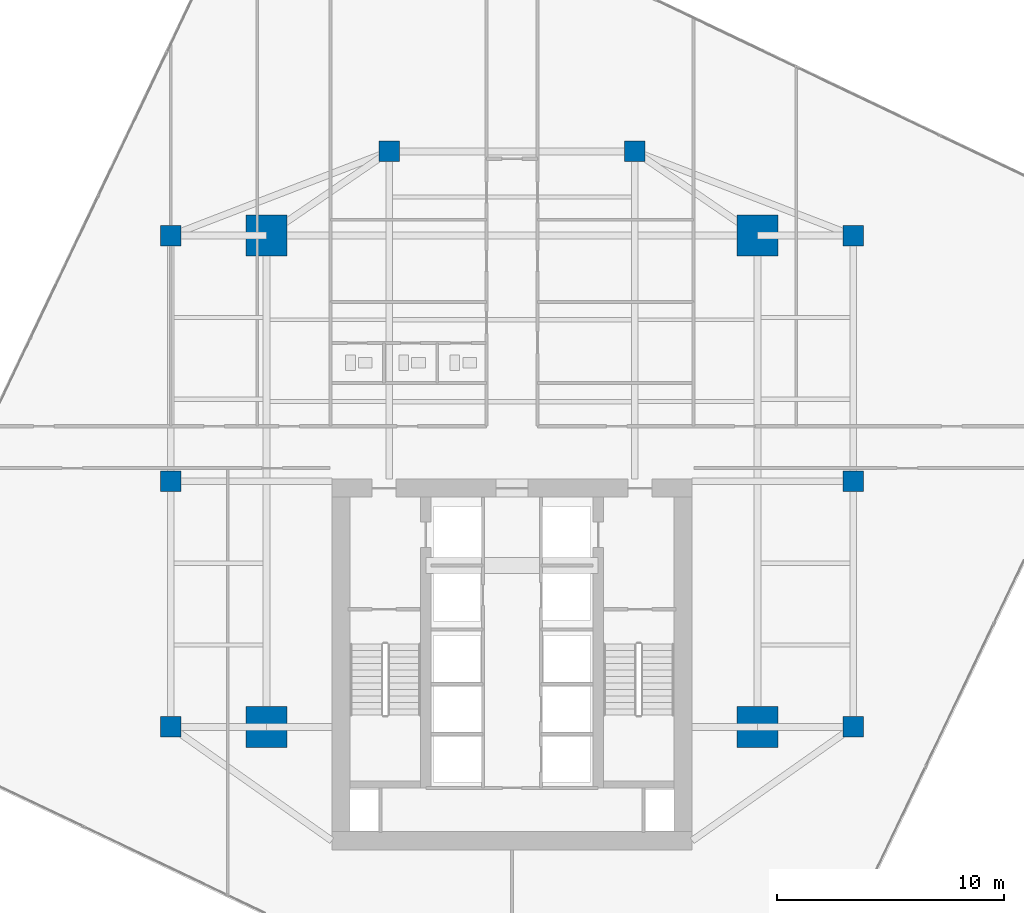
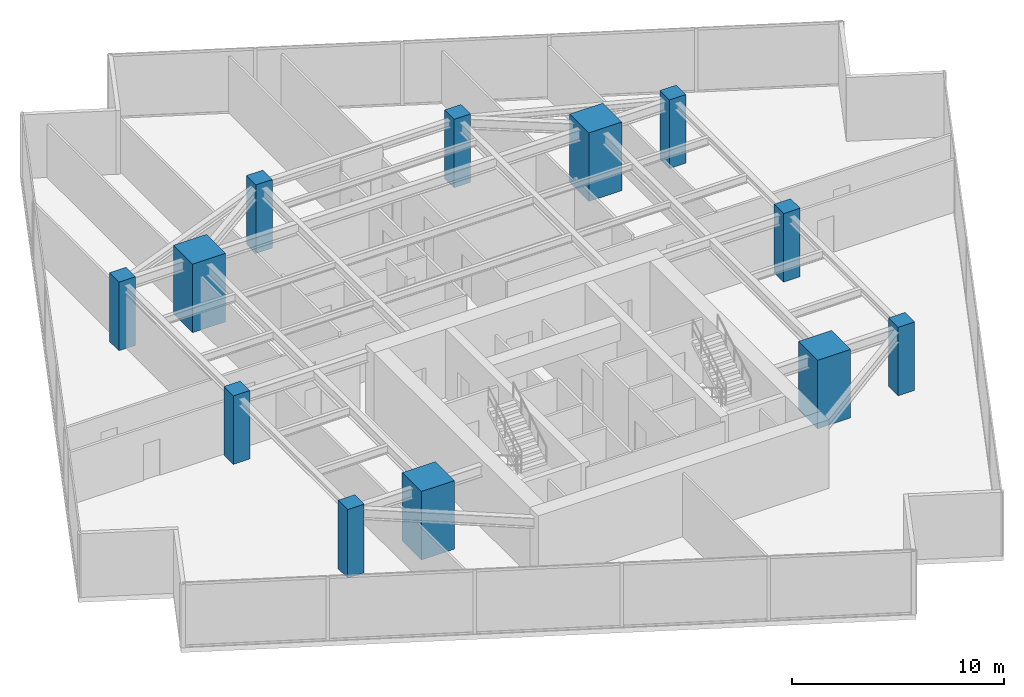
# One storey, part 1 of 25: 12 columns.
"""IFC4 building model written with IfcOpenShell, lengths in metres."""

import ifcopenshell
import ifcopenshell.guid

model = None  # the IFC model being written
_history = None  # IfcOwnerHistory: only IFC2X3 demands one
_inside = {}  # id of a spatial element -> (the spatial element, [elements in it])
_under = {}  # id of a project, library or spatial element -> (it, [spatial elements below it])
_declared = {}  # id of a project -> (the project, [libraries it declares])
_typed = {}  # id of a type object -> (the type object, [elements of that type])
_made_of = {}  # id of a material, layer set ... -> (it, [elements and type objects made of it])


def new_model(schema):
    """Start an empty IFC model of exactly this schema.

    Asked for "IFC4X3", IfcOpenShell would pick the latest addendum, in which some entities
    have other attributes; the version numbers below select the first issue.
    IFC2X3 requires an IfcOwnerHistory on every rooted entity: one is made here for all.
    """
    global model, _history
    if schema == "IFC4X3":
        model = ifcopenshell.file(schema_version=(4, 3, 0, 0))
    else:
        model = ifcopenshell.file(schema=schema)
    _inside.clear()
    _under.clear()
    _declared.clear()
    _typed.clear()
    _made_of.clear()
    _history = None
    if model.schema == "IFC2X3":
        org = make("IfcOrganization", Name="unknown")
        user = make(
            "IfcPersonAndOrganization",
            ThePerson=make("IfcPerson", FamilyName="unknown"),
            TheOrganization=org,
        )
        app = make(
            "IfcApplication",
            ApplicationDeveloper=org,
            Version="unknown",
            ApplicationFullName="unknown",
            ApplicationIdentifier="unknown",
        )
        _history = make(
            "IfcOwnerHistory",
            OwningUser=user,
            OwningApplication=app,
            ChangeAction="ADDED",
            CreationDate=0,
        )
    return model


def make(cls, **values):
    """One entity of the class cls with the attributes given. An attribute that is None is left unset."""
    return model.create_entity(
        cls, **{name: value for name, value in values.items() if value is not None}
    )


def rooted(cls, **values):
    """An entity with a GlobalId (a new one), such as an element, a storey or a relation."""
    return make(cls, GlobalId=ifcopenshell.guid.new(), OwnerHistory=_history, **values)


def si_unit(unit_type, name, prefix=None):
    """IfcSIUnit, for example si_unit("LENGTHUNIT", "METRE", prefix="MILLI")."""
    return make("IfcSIUnit", UnitType=unit_type, Prefix=prefix, Name=name)


def assignment(units):
    """IfcUnitAssignment: the units of a project."""
    return None if units is None else make("IfcUnitAssignment", Units=units)


def point(xyz):
    """IfcCartesianPoint."""
    return None if xyz is None else make("IfcCartesianPoint", Coordinates=xyz)


def direction(xyz):
    """IfcDirection."""
    return None if xyz is None else make("IfcDirection", DirectionRatios=xyz)


def frame(location, z_axis=None, x_axis=None):
    """IfcAxis2Placement3D, a coordinate frame: its origin and axes. An axis left out is left unset."""
    return make(
        "IfcAxis2Placement3D",
        Location=point(location),
        Axis=direction(z_axis),
        RefDirection=direction(x_axis),
    )


def frame_2d(location, x_axis=None):
    """IfcAxis2Placement2D, a coordinate frame in the plane: its origin and x axis."""
    return make(
        "IfcAxis2Placement2D", Location=point(location), RefDirection=direction(x_axis)
    )


def origin():
    """The frame at (0, 0, 0) with its axes left unset."""
    return frame((0.0, 0.0, 0.0))


def origin_2d():
    """The frame at (0, 0) in the plane with its x axis left unset."""
    return frame_2d((0.0, 0.0))


def place(relative_to, where):
    """IfcLocalPlacement: puts the frame where relative to a parent placement (None: the world)."""
    return make(
        "IfcLocalPlacement", PlacementRelTo=relative_to, RelativePlacement=where
    )


def context(
    kind, dimensions, precision=None, world=None, true_north=None, identifier=None
):
    """IfcGeometricRepresentationContext, for example the 3D "Model" context."""
    return make(
        "IfcGeometricRepresentationContext",
        ContextIdentifier=identifier,
        ContextType=kind,
        CoordinateSpaceDimension=dimensions,
        Precision=precision,
        WorldCoordinateSystem=world,
        TrueNorth=true_north,
    )


def subcontext(parent, identifier, kind, view, scale=None):
    """IfcGeometricRepresentationSubContext, for example "Body" below "Model"."""
    return make(
        "IfcGeometricRepresentationSubContext",
        ContextIdentifier=identifier,
        ContextType=kind,
        ParentContext=parent,
        TargetScale=scale,
        TargetView=view,
    )


def project(units=None, contexts=None):
    """IfcProject with its units and contexts."""
    return rooted(
        "IfcProject",
        Name="project",
        RepresentationContexts=contexts,
        UnitsInContext=assignment(units),
    )


def spatial(cls, under=None, at=None, **own):
    """A site, building, storey or space (cls), placed at a placement, below another one or the project."""
    s = rooted(cls, ObjectPlacement=at, **own)
    if under is not None:
        _under.setdefault(under.id(), (under, []))[1].append(s)
    return s


def profile(cls, at=None, kind="AREA", **sizes):
    """A parametric profile (cls). Its sizes go by their IFC names, for example OverallWidth=200.0."""
    return make(cls, ProfileType=kind, Position=at, **sizes)


def rectangle(**sizes):
    """IfcRectangleProfileDef."""
    return profile("IfcRectangleProfileDef", **sizes)


def extrude(swept, where, along, depth):
    """IfcExtrudedAreaSolid: the profile swept, set in the frame where, extruded along a direction by depth."""
    return make(
        "IfcExtrudedAreaSolid",
        SweptArea=swept,
        Position=where,
        ExtrudedDirection=direction(along),
        Depth=depth,
    )


def shape(context_of_items, identifier, shape_type, items):
    """IfcShapeRepresentation: the items that make up one representation, for example the "Body"."""
    return make(
        "IfcShapeRepresentation",
        ContextOfItems=context_of_items,
        RepresentationIdentifier=identifier,
        RepresentationType=shape_type,
        Items=items,
    )


def source(mapping_origin, context_of_items, identifier, shape_type, items):
    """IfcRepresentationMap: a shape defined once, which mapped items show again and again."""
    return make(
        "IfcRepresentationMap",
        MappingOrigin=mapping_origin,
        MappedRepresentation=shape(context_of_items, identifier, shape_type, items),
    )


def transform(
    local_origin,
    x_axis=None,
    y_axis=None,
    z_axis=None,
    scale=None,
    scale2=None,
    scale3=None,
    uniform=True,
):
    """IfcCartesianTransformationOperator3D, or its non-uniform kind. x_axis, y_axis, z_axis: its Axis1, 2, 3."""
    if uniform:
        return make(
            "IfcCartesianTransformationOperator3D",
            Axis1=direction(x_axis),
            Axis2=direction(y_axis),
            LocalOrigin=point(local_origin),
            Scale=scale,
            Axis3=direction(z_axis),
        )
    return make(
        "IfcCartesianTransformationOperator3DnonUniform",
        Axis1=direction(x_axis),
        Axis2=direction(y_axis),
        LocalOrigin=point(local_origin),
        Scale=scale,
        Axis3=direction(z_axis),
        Scale2=scale2,
        Scale3=scale3,
    )


def mapped(mapping_source, mapping_target):
    """IfcMappedItem: shows the shape of a source again, moved by a transform."""
    return make(
        "IfcMappedItem", MappingSource=mapping_source, MappingTarget=mapping_target
    )


def material(Name=None, Category=None):
    """IfcMaterial."""
    return make("IfcMaterial", Name=Name, Category=Category)


def material_profile(
    of_material, cross_section, Name=None, Category=None, Priority=None
):
    """IfcMaterialProfile: a cross section and its material."""
    return make(
        "IfcMaterialProfile",
        Name=Name,
        Material=of_material,
        Profile=cross_section,
        Priority=Priority,
        Category=Category,
    )


def profile_set(profiles, Name=None, composite=None):
    """IfcMaterialProfileSet."""
    return make(
        "IfcMaterialProfileSet",
        Name=Name,
        MaterialProfiles=profiles,
        CompositeProfile=composite,
    )


def made_of(thing, what):
    """Note that an element or type object is made of a material, layer set ...; save() writes the relation."""
    if what is not None:
        _made_of.setdefault(what.id(), (what, []))[1].append(thing)
    return thing


def type_object(cls, material=None, **own):
    """A type object (cls), such as IfcWallType, which elements share."""
    return made_of(rooted(cls, **own), material)


def type_shapes(of_type, sources):
    """Give a type object the sources (RepresentationMaps) that its elements show as mapped items."""
    of_type.RepresentationMaps = sources


def element(
    cls,
    number,
    at=None,
    inside=None,
    cuts=None,
    type_object=None,
    material=None,
    context=None,
    identifier="Body",
    shape_type=None,
    held_by="IfcProductDefinitionShape",
    body=None,
    shapes=None,
    **own,
):
    """One element of the class cls, such as IfcWall. Its Tag is "e" and its number.

    at: its placement. inside: the storey or other place that contains it. cuts: it is an
    opening in that element (IfcRelVoidsElement). A single representation is given by context,
    identifier, shape_type and body (its items); several are given by shapes. held_by: the class
    of the entity that holds the representations. save() writes the other relations.
    """
    e = rooted(cls, Tag="e%d" % number, ObjectPlacement=at, **own)
    if body is not None:
        shapes = [shape(context, identifier, shape_type, body)]
    if shapes is not None:
        e.Representation = make(held_by, Representations=shapes)
    if inside is not None:
        _inside.setdefault(inside.id(), (inside, []))[1].append(e)
    if cuts is not None:
        rooted(
            "IfcRelVoidsElement", RelatingBuildingElement=cuts, RelatedOpeningElement=e
        )
    if type_object is not None:
        _typed.setdefault(type_object.id(), (type_object, []))[1].append(e)
    return made_of(e, material)


def aggregate(whole, parts):
    """IfcRelAggregates: a whole, such as a stair, and the parts it consists of."""
    return rooted("IfcRelAggregates", RelatingObject=whole, RelatedObjects=parts)


def save(model, path):
    """Write the relations noted so far, then the file.

    IfcRelAggregates (storeys below a building ...), IfcRelContainedInSpatialStructure (elements
    in a storey), IfcRelDefinesByType, IfcRelAssociatesMaterial and IfcRelDeclares: one each for
    every whole, place, type object, material and project.
    """
    for whole, parts in _under.values():
        aggregate(whole, parts)
    for where, things in _inside.values():
        rooted(
            "IfcRelContainedInSpatialStructure",
            RelatedElements=things,
            RelatingStructure=where,
        )
    for kind, things in _typed.values():
        rooted("IfcRelDefinesByType", RelatedObjects=things, RelatingType=kind)
    for what, things in _made_of.values():
        rooted("IfcRelAssociatesMaterial", RelatedObjects=things, RelatingMaterial=what)
    for by, libraries in _declared.values():
        rooted("IfcRelDeclares", RelatingContext=by, RelatedDefinitions=libraries)
    model.write(path)


model = new_model("IFC4")

# Units and contexts
model_context = context("Model", 3, precision=1e-05, world=origin(), true_north=direction((0.0, 1.0)))
body_context = subcontext(model_context, "Body", "Model", "MODEL_VIEW")
ifc_project = project(units=[si_unit("LENGTHUNIT", "METRE"), si_unit("AREAUNIT", "SQUARE_METRE"), si_unit("VOLUMEUNIT", "CUBIC_METRE"), si_unit("PLANEANGLEUNIT", "RADIAN"), si_unit("MASSUNIT", "GRAM", prefix="KILO")], contexts=[model_context])

# Site, building, storey
site_placement = place(None, origin())
site = spatial("IfcSite", under=ifc_project, at=site_placement, CompositionType="ELEMENT")
building_placement = place(site_placement, origin())
building = spatial("IfcBuilding", under=site, at=building_placement, Name="Krantzveldt Concourse Tower", CompositionType="ELEMENT")
storey_placement = place(building_placement, frame((0.0, 0.0, 146.199951171875)))
storey = spatial("IfcBuildingStorey", under=building, at=storey_placement, Name="L35", CompositionType="ELEMENT", Elevation=146.199951171875)

# Columns
ifc_material = material(Name="Concrete C50/60", Category="concrete")
ifc_material_profile_1 = material_profile(ifc_material, rectangle(XDim=1.800048828125, YDim=1.800048828125, at=origin_2d()), Name="Concrete C50/60", Category="concrete")
ifc_profile_set_1 = profile_set([ifc_material_profile_1], Name="Concrete C50/60 - RC 1800x1800")
column_type_1 = type_object("IfcColumnType", Name="COL-MC-1800", PredefinedType="USERDEFINED", material=ifc_profile_set_1)
shared_shape_1 = source(origin(), body_context, "Body", "SweptSolid", [
    extrude(rectangle(XDim=1.800048828125, YDim=1.800048828125, at=origin_2d()), origin(), (0.0, 0.0, 1.0), 3.949951171875),
])
type_shapes(column_type_1, [shared_shape_1])
for number, where, z_axis, x_axis, name in (
    (1, (25.199951171875, 15.89990234375, 0.0), (0.0, 0.0, 1.0), (1.0, 0.0, 0.0), "MC-SW-L35"),
    (2, (46.800048828125, 15.89990234375, 0.0), (0.0, 0.0, 1.0), (1.0, 0.0, 0.0), "MC-SE-L35"),
    (3, (46.800048828125, 37.5, 0.0), (0.0, 0.0, 1.0), (1.0, 0.0, 0.0), "MC-NE-L35"),
    (4, (25.199951171875, 37.5, 0.0), (0.0, 0.0, 1.0), (1.0, 0.0, 0.0), "MC-NW-L35"),
):
    element("IfcColumn", number, at=place(storey_placement, frame(where, z_axis=z_axis, x_axis=x_axis)), inside=storey, type_object=column_type_1, Name=name, ObjectType="MEGA COLUMN", PredefinedType="USERDEFINED", context=body_context, shape_type="MappedRepresentation", body=[
        mapped(shared_shape_1, transform((0.0, 0.0, 0.0), x_axis=(1.0, 0.0, 0.0), y_axis=(0.0, 1.0, 0.0), z_axis=(0.0, 0.0, 1.0), scale=1.0)),
    ])
ifc_material_profile_2 = material_profile(ifc_material, rectangle(XDim=0.89990234375, YDim=0.89990234375, at=origin_2d()), Name="Concrete C50/60", Category="concrete")
ifc_profile_set_2 = profile_set([ifc_material_profile_2], Name="Concrete C50/60 - RC 900x900")
column_type_2 = type_object("IfcColumnType", Name="COL-C-Z3", PredefinedType="COLUMN", material=ifc_profile_set_2)
shared_shape_2 = source(origin(), body_context, "Body", "SweptSolid", [
    extrude(rectangle(XDim=0.89990234375, YDim=0.89990234375, at=origin_2d()), origin(), (0.0, 0.0, 1.0), 3.949951171875),
])
type_shapes(column_type_2, [shared_shape_2])
for number, where, z_axis, x_axis, name in (
    (5, (21.0, 15.89990234375, 0.0), (0.0, 0.0, 1.0), (1.0, 0.0, 0.0), "PC-R01-L35"),
    (6, (21.0, 26.699951171875, 0.0), (0.0, 0.0, 1.0), (1.0, 0.0, 0.0), "PC-R02-L35"),
    (7, (21.0, 37.5, 0.0), (0.0, 0.0, 1.0), (1.0, 0.0, 0.0), "PC-R03-L35"),
    (8, (30.60009765625, 41.199951171875, 0.0), (0.0, 0.0, 1.0), (1.0, 0.0, 0.0), "PC-R04-L35"),
    (9, (41.39990234375, 41.199951171875, 0.0), (0.0, 0.0, 1.0), (1.0, 0.0, 0.0), "PC-R05-L35"),
    (10, (51.0, 37.5, 0.0), (0.0, 0.0, 1.0), (1.0, 0.0, 0.0), "PC-R06-L35"),
    (11, (51.0, 26.699951171875, 0.0), (0.0, 0.0, 1.0), (1.0, 0.0, 0.0), "PC-R07-L35"),
    (12, (51.0, 15.89990234375, 0.0), (0.0, 0.0, 1.0), (1.0, 0.0, 0.0), "PC-R08-L35"),
):
    element("IfcColumn", number, at=place(storey_placement, frame(where, z_axis=z_axis, x_axis=x_axis)), inside=storey, type_object=column_type_2, Name=name, PredefinedType="COLUMN", context=body_context, shape_type="MappedRepresentation", body=[
        mapped(shared_shape_2, transform((0.0, 0.0, 0.0), x_axis=(1.0, 0.0, 0.0), y_axis=(0.0, 1.0, 0.0), z_axis=(0.0, 0.0, 1.0), scale=1.0)),
    ])

save(model, "model.ifc")
